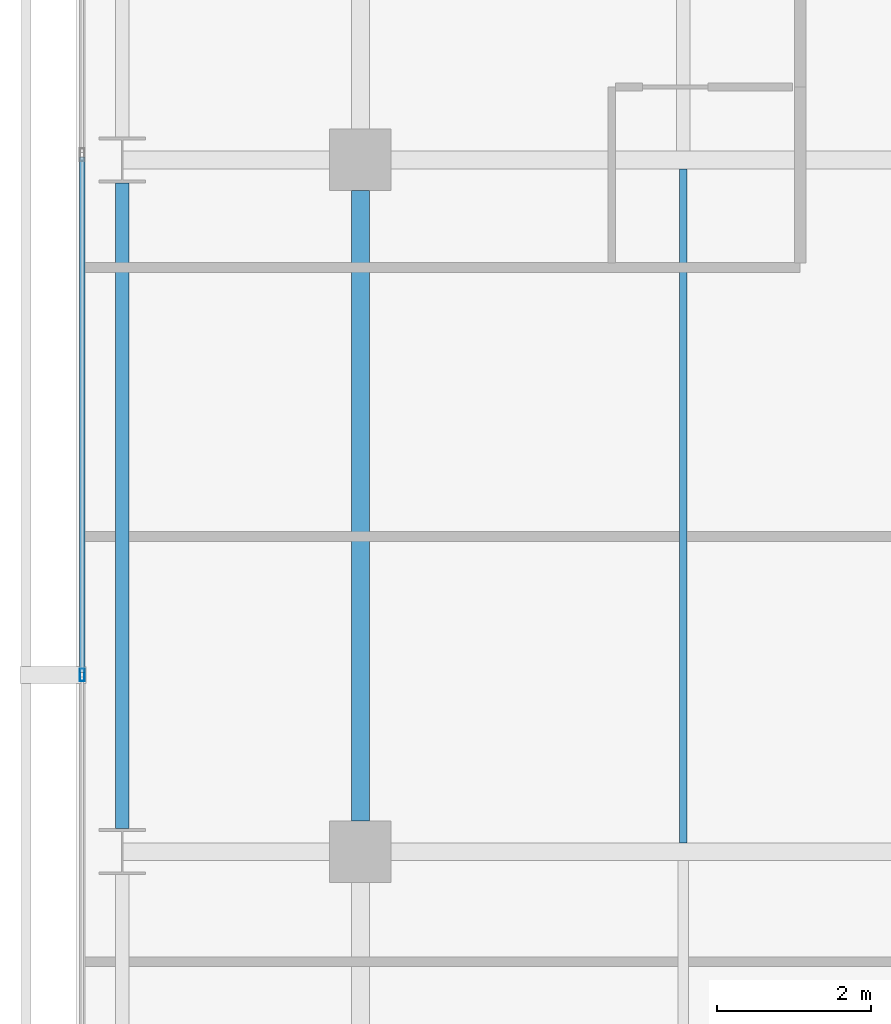
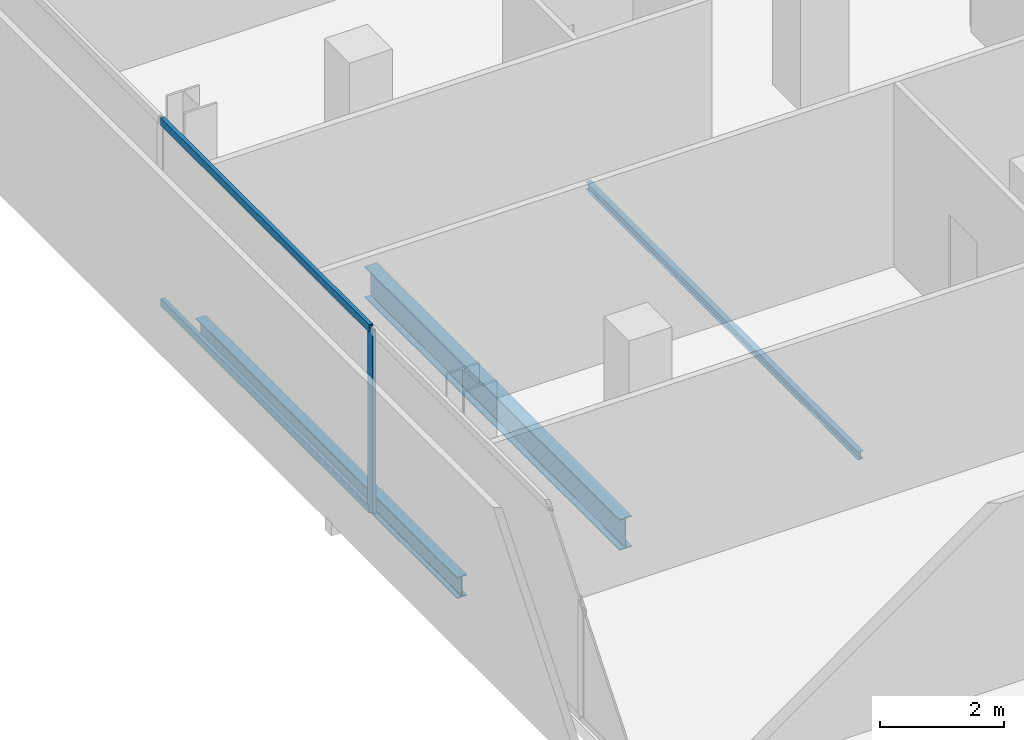
# One storey, part 10 of 33: 3 beams, 3 members, 1 element without a shape of its own.
"""IFC4 building model written with IfcOpenShell, lengths in metres."""

import ifcopenshell
import ifcopenshell.guid

model = None  # the IFC model being written
_history = None  # IfcOwnerHistory: only IFC2X3 demands one
_inside = {}  # id of a spatial element -> (the spatial element, [elements in it])
_under = {}  # id of a project, library or spatial element -> (it, [spatial elements below it])
_declared = {}  # id of a project -> (the project, [libraries it declares])
_typed = {}  # id of a type object -> (the type object, [elements of that type])
_made_of = {}  # id of a material, layer set ... -> (it, [elements and type objects made of it])


def new_model(schema):
    """Start an empty IFC model of exactly this schema.

    Asked for "IFC4X3", IfcOpenShell would pick the latest addendum, in which some entities
    have other attributes; the version numbers below select the first issue.
    IFC2X3 requires an IfcOwnerHistory on every rooted entity: one is made here for all.
    """
    global model, _history
    if schema == "IFC4X3":
        model = ifcopenshell.file(schema_version=(4, 3, 0, 0))
    else:
        model = ifcopenshell.file(schema=schema)
    _inside.clear()
    _under.clear()
    _declared.clear()
    _typed.clear()
    _made_of.clear()
    _history = None
    if model.schema == "IFC2X3":
        org = make("IfcOrganization", Name="unknown")
        user = make(
            "IfcPersonAndOrganization",
            ThePerson=make("IfcPerson", FamilyName="unknown"),
            TheOrganization=org,
        )
        app = make(
            "IfcApplication",
            ApplicationDeveloper=org,
            Version="unknown",
            ApplicationFullName="unknown",
            ApplicationIdentifier="unknown",
        )
        _history = make(
            "IfcOwnerHistory",
            OwningUser=user,
            OwningApplication=app,
            ChangeAction="ADDED",
            CreationDate=0,
        )
    return model


def make(cls, **values):
    """One entity of the class cls with the attributes given. An attribute that is None is left unset."""
    return model.create_entity(
        cls, **{name: value for name, value in values.items() if value is not None}
    )


def rooted(cls, **values):
    """An entity with a GlobalId (a new one), such as an element, a storey or a relation."""
    return make(cls, GlobalId=ifcopenshell.guid.new(), OwnerHistory=_history, **values)


def si_unit(unit_type, name, prefix=None):
    """IfcSIUnit, for example si_unit("LENGTHUNIT", "METRE", prefix="MILLI")."""
    return make("IfcSIUnit", UnitType=unit_type, Prefix=prefix, Name=name)


def assignment(units):
    """IfcUnitAssignment: the units of a project."""
    return None if units is None else make("IfcUnitAssignment", Units=units)


def point(xyz):
    """IfcCartesianPoint."""
    return None if xyz is None else make("IfcCartesianPoint", Coordinates=xyz)


def direction(xyz):
    """IfcDirection."""
    return None if xyz is None else make("IfcDirection", DirectionRatios=xyz)


def frame(location, z_axis=None, x_axis=None):
    """IfcAxis2Placement3D, a coordinate frame: its origin and axes. An axis left out is left unset."""
    return make(
        "IfcAxis2Placement3D",
        Location=point(location),
        Axis=direction(z_axis),
        RefDirection=direction(x_axis),
    )


def frame_2d(location, x_axis=None):
    """IfcAxis2Placement2D, a coordinate frame in the plane: its origin and x axis."""
    return make(
        "IfcAxis2Placement2D", Location=point(location), RefDirection=direction(x_axis)
    )


def origin():
    """The frame at (0, 0, 0) with its axes left unset."""
    return frame((0.0, 0.0, 0.0))


def origin_2d():
    """The frame at (0, 0) in the plane with its x axis left unset."""
    return frame_2d((0.0, 0.0))


def place(relative_to, where):
    """IfcLocalPlacement: puts the frame where relative to a parent placement (None: the world)."""
    return make(
        "IfcLocalPlacement", PlacementRelTo=relative_to, RelativePlacement=where
    )


def context(
    kind, dimensions, precision=None, world=None, true_north=None, identifier=None
):
    """IfcGeometricRepresentationContext, for example the 3D "Model" context."""
    return make(
        "IfcGeometricRepresentationContext",
        ContextIdentifier=identifier,
        ContextType=kind,
        CoordinateSpaceDimension=dimensions,
        Precision=precision,
        WorldCoordinateSystem=world,
        TrueNorth=true_north,
    )


def subcontext(parent, identifier, kind, view, scale=None):
    """IfcGeometricRepresentationSubContext, for example "Body" below "Model"."""
    return make(
        "IfcGeometricRepresentationSubContext",
        ContextIdentifier=identifier,
        ContextType=kind,
        ParentContext=parent,
        TargetScale=scale,
        TargetView=view,
    )


def project(units=None, contexts=None):
    """IfcProject with its units and contexts."""
    return rooted(
        "IfcProject",
        Name="project",
        RepresentationContexts=contexts,
        UnitsInContext=assignment(units),
    )


def spatial(cls, under=None, at=None, **own):
    """A site, building, storey or space (cls), placed at a placement, below another one or the project."""
    s = rooted(cls, ObjectPlacement=at, **own)
    if under is not None:
        _under.setdefault(under.id(), (under, []))[1].append(s)
    return s


def profile(cls, at=None, kind="AREA", **sizes):
    """A parametric profile (cls). Its sizes go by their IFC names, for example OverallWidth=200.0."""
    return make(cls, ProfileType=kind, Position=at, **sizes)


def hollow_rectangle(**sizes):
    """IfcRectangleHollowProfileDef."""
    return profile("IfcRectangleHollowProfileDef", **sizes)


def i_section(**sizes):
    """IfcIShapeProfileDef."""
    return profile("IfcIShapeProfileDef", **sizes)


def extrude(swept, where, along, depth):
    """IfcExtrudedAreaSolid: the profile swept, set in the frame where, extruded along a direction by depth."""
    return make(
        "IfcExtrudedAreaSolid",
        SweptArea=swept,
        Position=where,
        ExtrudedDirection=direction(along),
        Depth=depth,
    )


def shape(context_of_items, identifier, shape_type, items):
    """IfcShapeRepresentation: the items that make up one representation, for example the "Body"."""
    return make(
        "IfcShapeRepresentation",
        ContextOfItems=context_of_items,
        RepresentationIdentifier=identifier,
        RepresentationType=shape_type,
        Items=items,
    )


def material(Name=None, Category=None):
    """IfcMaterial."""
    return make("IfcMaterial", Name=Name, Category=Category)


def layer(
    of_material, thickness, ventilated=None, Name=None, Category=None, Priority=None
):
    """IfcMaterialLayer: one layer of a wall or slab, of a material (None: an air gap)."""
    return make(
        "IfcMaterialLayer",
        Material=of_material,
        LayerThickness=thickness,
        IsVentilated=ventilated,
        Name=Name,
        Category=Category,
        Priority=Priority,
    )


def layer_set(layers, Name=None):
    """IfcMaterialLayerSet."""
    return make("IfcMaterialLayerSet", MaterialLayers=layers, LayerSetName=Name)


def material_profile(
    of_material, cross_section, Name=None, Category=None, Priority=None
):
    """IfcMaterialProfile: a cross section and its material."""
    return make(
        "IfcMaterialProfile",
        Name=Name,
        Material=of_material,
        Profile=cross_section,
        Priority=Priority,
        Category=Category,
    )


def profile_set(profiles, Name=None, composite=None):
    """IfcMaterialProfileSet."""
    return make(
        "IfcMaterialProfileSet",
        Name=Name,
        MaterialProfiles=profiles,
        CompositeProfile=composite,
    )


def made_of(thing, what):
    """Note that an element or type object is made of a material, layer set ...; save() writes the relation."""
    if what is not None:
        _made_of.setdefault(what.id(), (what, []))[1].append(thing)
    return thing


def type_object(cls, material=None, **own):
    """A type object (cls), such as IfcWallType, which elements share."""
    return made_of(rooted(cls, **own), material)


def element(
    cls,
    number,
    at=None,
    inside=None,
    cuts=None,
    type_object=None,
    material=None,
    context=None,
    identifier="Body",
    shape_type=None,
    held_by="IfcProductDefinitionShape",
    body=None,
    shapes=None,
    **own,
):
    """One element of the class cls, such as IfcWall. Its Tag is "e" and its number.

    at: its placement. inside: the storey or other place that contains it. cuts: it is an
    opening in that element (IfcRelVoidsElement). A single representation is given by context,
    identifier, shape_type and body (its items); several are given by shapes. held_by: the class
    of the entity that holds the representations. save() writes the other relations.
    """
    e = rooted(cls, Tag="e%d" % number, ObjectPlacement=at, **own)
    if body is not None:
        shapes = [shape(context, identifier, shape_type, body)]
    if shapes is not None:
        e.Representation = make(held_by, Representations=shapes)
    if inside is not None:
        _inside.setdefault(inside.id(), (inside, []))[1].append(e)
    if cuts is not None:
        rooted(
            "IfcRelVoidsElement", RelatingBuildingElement=cuts, RelatedOpeningElement=e
        )
    if type_object is not None:
        _typed.setdefault(type_object.id(), (type_object, []))[1].append(e)
    return made_of(e, material)


def aggregate(whole, parts):
    """IfcRelAggregates: a whole, such as a stair, and the parts it consists of."""
    return rooted("IfcRelAggregates", RelatingObject=whole, RelatedObjects=parts)


def save(model, path):
    """Write the relations noted so far, then the file.

    IfcRelAggregates (storeys below a building ...), IfcRelContainedInSpatialStructure (elements
    in a storey), IfcRelDefinesByType, IfcRelAssociatesMaterial and IfcRelDeclares: one each for
    every whole, place, type object, material and project.
    """
    for whole, parts in _under.values():
        aggregate(whole, parts)
    for where, things in _inside.values():
        rooted(
            "IfcRelContainedInSpatialStructure",
            RelatedElements=things,
            RelatingStructure=where,
        )
    for kind, things in _typed.values():
        rooted("IfcRelDefinesByType", RelatedObjects=things, RelatingType=kind)
    for what, things in _made_of.values():
        rooted("IfcRelAssociatesMaterial", RelatedObjects=things, RelatingMaterial=what)
    for by, libraries in _declared.values():
        rooted("IfcRelDeclares", RelatingContext=by, RelatedDefinitions=libraries)
    model.write(path)


model = new_model("IFC4")

# Units and contexts
model_context = context("Model", 3, precision=1e-05, world=origin(), true_north=direction((0.0, 1.0)))
body_context = subcontext(model_context, "Body", "Model", "MODEL_VIEW")
ifc_project = project(units=[si_unit("LENGTHUNIT", "METRE"), si_unit("AREAUNIT", "SQUARE_METRE"), si_unit("VOLUMEUNIT", "CUBIC_METRE"), si_unit("PLANEANGLEUNIT", "RADIAN"), si_unit("MASSUNIT", "GRAM", prefix="KILO")], contexts=[model_context])

# Site, building, storey
site_placement = place(None, origin())
site = spatial("IfcSite", under=ifc_project, at=site_placement, CompositionType="ELEMENT")
building_placement = place(site_placement, origin())
building = spatial("IfcBuilding", under=site, at=building_placement, Name="Maruvema Waterfront Hotel and Observation Tower", CompositionType="ELEMENT")
storey_placement = place(building_placement, frame((0.0, 0.0, 150.5)))
storey = spatial("IfcBuildingStorey", under=building, at=storey_placement, Name="L36", CompositionType="ELEMENT", Elevation=150.5)

# Curtain wall, members
ifc_material_1 = material(Name="Anodised bronze aluminium and solar-control low-E IGU", Category="aluminium")
ifc_layer = layer(ifc_material_1, 0.159912109375, Name="Zone 2 Amber Inner Thermal Curtain Wall System CW-03")
ifc_layer_set = layer_set([ifc_layer], Name="Anodised bronze aluminium and solar-control low-E IGU")
curtain_wall_type = type_object("IfcCurtainWallType", Name="Zone 2 Amber Inner Thermal Curtain Wall System CW-03", PredefinedType="USERDEFINED", material=ifc_layer_set)
curtain_wall_placement = place(storey_placement, origin())
curtain_wall = element("IfcCurtainWall", 1, at=curtain_wall_placement, inside=storey, type_object=curtain_wall_type, Name="L36 Curtain Wall CW-L36-W", ObjectType="UNITISED CURTAIN WALL", PredefinedType="USERDEFINED")
ifc_material_2 = material(Name="Anodised architectural bronze aluminium", Category="aluminium")
ifc_material_profile_1 = material_profile(ifc_material_2, hollow_rectangle(XDim=0.070068359375, YDim=0.14990234375, WallThickness=0.00390625, at=origin_2d()), Name="ALU-T70x150")
ifc_profile_set_1 = profile_set([ifc_material_profile_1], Name="Anodised architectural bronze aluminium")
member_type_1 = type_object("IfcMemberType", Name="Curtain Wall Horizontal Transom ALU-T70x150", PredefinedType="USERDEFINED", material=ifc_profile_set_1)
member_1_placement = place(storey_placement, frame((13.179931640625, 36.03662109375, 0.030029296875), z_axis=(0.0, -1.0, 0.0), x_axis=(1.0, 0.0, 0.0)))
member_1 = element("IfcMember", 2, at=member_1_placement, type_object=member_type_1, Name="CW-03 transom 3.1", ObjectType="TRANSOM", PredefinedType="USERDEFINED", context=body_context, shape_type="SweptSolid", body=[
    extrude(hollow_rectangle(XDim=0.070068359375, YDim=0.14990234375, WallThickness=0.00390625, at=origin_2d()), origin(), (0.0, 0.0, 1.0), 6.70654296875),
])
member_2_placement = place(storey_placement, frame((13.179931640625, 36.03662109375, 3.580078125), z_axis=(0.0, -1.0, 0.0), x_axis=(1.0, 0.0, 0.0)))
member_2 = element("IfcMember", 3, at=member_2_placement, type_object=member_type_1, Name="CW-03 transom 3.2", ObjectType="TRANSOM", PredefinedType="USERDEFINED", context=body_context, shape_type="SweptSolid", body=[
    extrude(hollow_rectangle(XDim=0.070068359375, YDim=0.14990234375, WallThickness=0.00390625, at=origin_2d()), origin(), (0.0, 0.0, 1.0), 6.70654296875),
])
ifc_material_3 = material(Name="Anodised architectural bronze aluminium", Category="aluminium")
ifc_material_profile_2 = material_profile(ifc_material_3, hollow_rectangle(XDim=0.06494140625, YDim=0.1650390625, WallThickness=0.00390625, at=origin_2d()), Name="ALU-M65x165")
ifc_profile_set_2 = profile_set([ifc_material_profile_2], Name="Anodised architectural bronze aluminium")
member_type_2 = type_object("IfcMemberType", Name="Curtain Wall Primary Mullion ALU-M65x165", PredefinedType="MULLION", material=ifc_profile_set_2)
member_3_placement = place(storey_placement, frame((13.179931640625, 29.300048828125, 0.0), z_axis=(0.0, 0.0, 1.0), x_axis=(1.0, 0.0, 0.0)))
member_3 = element("IfcMember", 4, at=member_3_placement, type_object=member_type_2, Name="CW-03 mullion 4", PredefinedType="MULLION", context=body_context, shape_type="SweptSolid", body=[
    extrude(hollow_rectangle(XDim=0.06494140625, YDim=0.1650390625, WallThickness=0.00390625, at=origin_2d()), origin(), (0.0, 0.0, 1.0), 3.610107421875),
])
aggregate(curtain_wall, [member_3, member_1, member_2])

# Beams
ifc_material_4 = material(Name="Steel ASTM A572 Grade 50", Category="steel")
ifc_material_profile_3 = material_profile(ifc_material_4, i_section(OverallWidth=0.180908203125, OverallDepth=0.4169921875, WebThickness=0.010986328125, FlangeThickness=0.018310546875, FilletRadius=0.014892578125, at=origin_2d()), Name="W410x85.0")
ifc_profile_set_3 = profile_set([ifc_material_profile_3], Name="Steel ASTM A572 Grade 50")
beam_type_1 = type_object("IfcBeamType", Name="Perimeter Spandrel Beam W410x85.0", PredefinedType="SPANDREL", material=ifc_profile_set_3)
beam_1_placement = place(storey_placement, frame((13.699951171875, 27.300048828125, -0.448486328125), z_axis=(0.0, 1.0, 0.0), x_axis=(-1.0, 0.0, 0.0)))
element("IfcBeam", 5, at=beam_1_placement, inside=storey, type_object=beam_type_1, Name="L36 Floor Girder NS-03", PredefinedType="SPANDREL", context=body_context, shape_type="SweptSolid", body=[
    extrude(i_section(OverallWidth=0.180908203125, OverallDepth=0.4169921875, WebThickness=0.010986328125, FlangeThickness=0.018310546875, FilletRadius=0.014892578125, at=origin_2d()), origin(), (0.0, 0.0, 1.0), 8.39990234375),
])
ifc_material_5 = material(Name="Steel ASTM A572 Grade 50", Category="steel")
ifc_material_profile_4 = material_profile(ifc_material_5, i_section(OverallWidth=0.22900390625, OverallDepth=0.612060546875, WebThickness=0.011962890625, FlangeThickness=0.01953125, FilletRadius=0.01806640625, at=origin_2d()), Name="W610x125.0")
ifc_profile_set_4 = profile_set([ifc_material_profile_4], Name="Steel ASTM A572 Grade 50")
beam_type_2 = type_object("IfcBeamType", Name="Primary Floor Girder W610x125.0", PredefinedType="BEAM", material=ifc_profile_set_4)
beam_2_placement = place(storey_placement, frame((16.800048828125, 27.39990234375, -0.5458984375), z_axis=(0.0, 1.0, 0.0), x_axis=(-1.0, 0.0, 0.0)))
element("IfcBeam", 6, at=beam_2_placement, inside=storey, type_object=beam_type_2, Name="L36 Floor Girder NS-07", PredefinedType="BEAM", context=body_context, shape_type="SweptSolid", body=[
    extrude(i_section(OverallWidth=0.22900390625, OverallDepth=0.612060546875, WebThickness=0.011962890625, FlangeThickness=0.01953125, FilletRadius=0.01806640625, at=origin_2d()), origin(), (0.0, 0.0, 1.0), 8.2001953125),
])
ifc_material_6 = material(Name="Steel ASTM A572 Grade 50", Category="steel")
ifc_material_profile_5 = material_profile(ifc_material_6, i_section(OverallWidth=0.10009765625, OverallDepth=0.153076171875, WebThickness=0.005859375, FlangeThickness=0.007080078125, FilletRadius=0.008056640625, at=origin_2d()), Name="W150x18.0")
ifc_profile_set_5 = profile_set([ifc_material_profile_5], Name="Steel ASTM A572 Grade 50")
beam_type_3 = type_object("IfcBeamType", Name="Secondary Floor Joist W150x18.0", PredefinedType="JOIST", material=ifc_profile_set_5)
beam_3_placement = place(storey_placement, frame((21.0, 27.114501953125, -0.31640625), z_axis=(0.0, 1.0, 0.0), x_axis=(-1.0, 0.0, 0.0)))
element("IfcBeam", 7, at=beam_3_placement, inside=storey, type_object=beam_type_3, Name="L36 Secondary Floor Joist JS-03", PredefinedType="JOIST", context=body_context, shape_type="SweptSolid", body=[
    extrude(i_section(OverallWidth=0.10009765625, OverallDepth=0.153076171875, WebThickness=0.005859375, FlangeThickness=0.007080078125, FilletRadius=0.008056640625, at=origin_2d()), origin(), (0.0, 0.0, 1.0), 8.77099609375),
])

save(model, "model.ifc")
